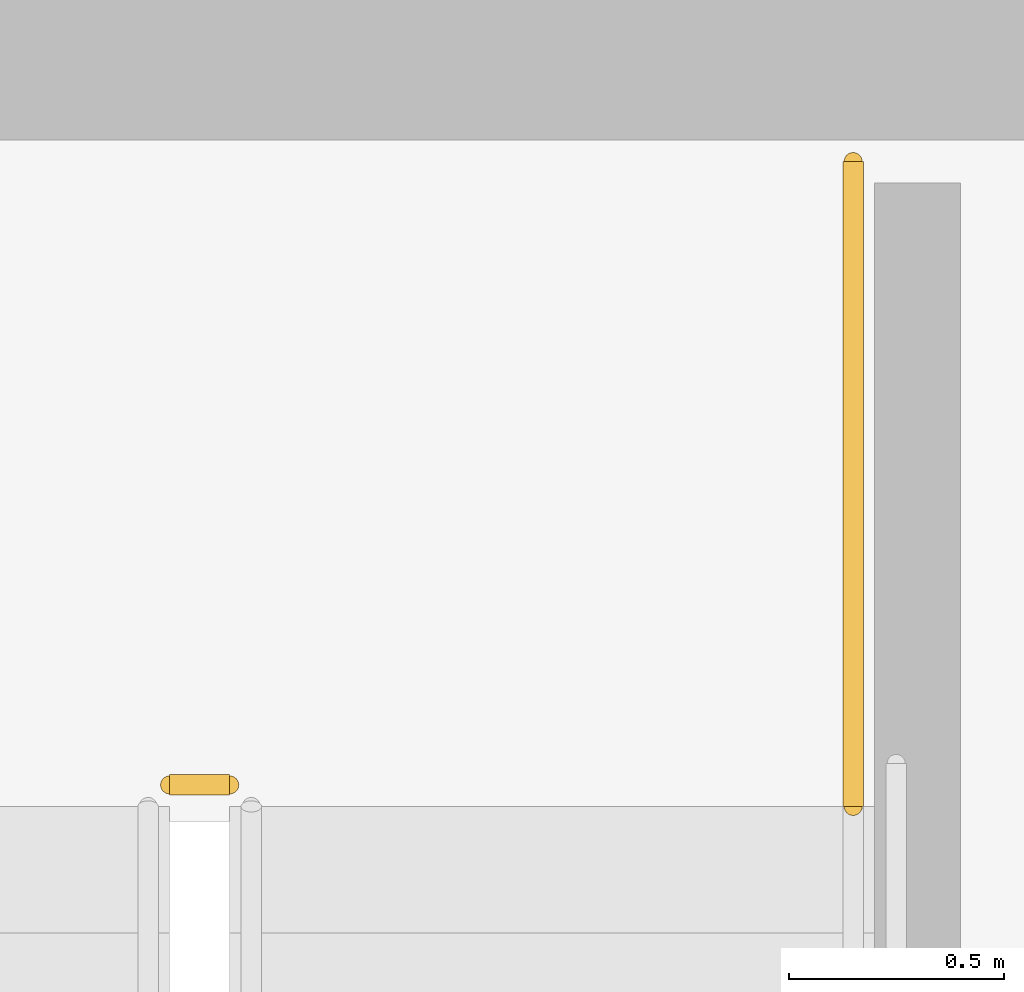
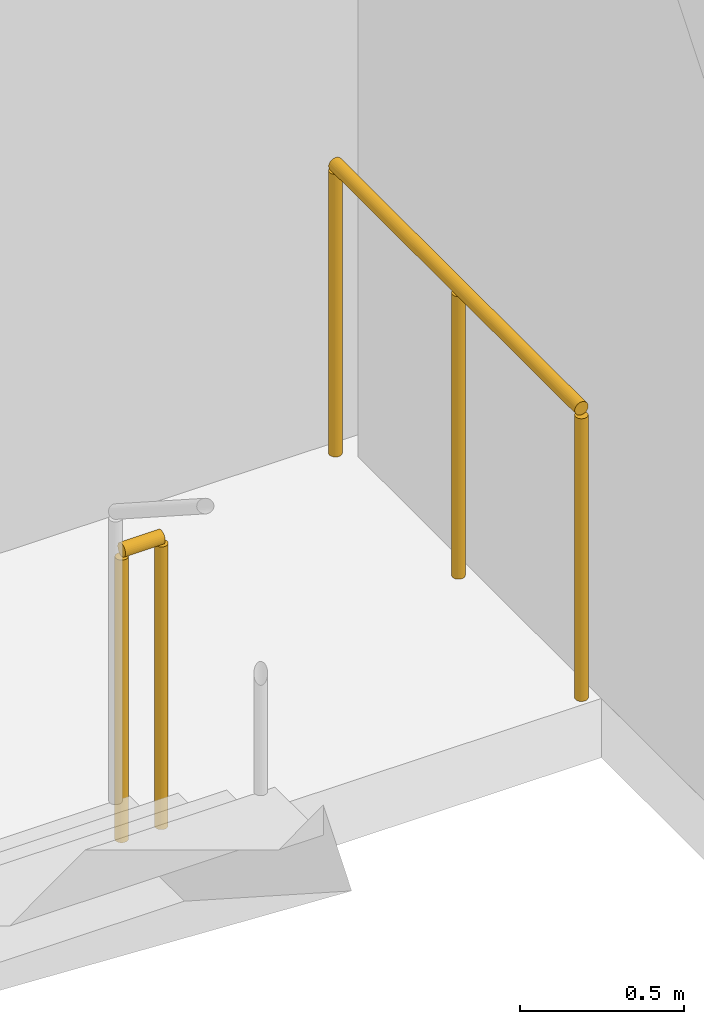
# One storey, part 29 of 30: 2 railings.
"""IFC4 building model written with IfcOpenShell, lengths in metres."""

from ifc_helpers import new_model, si_unit, direction, frame, origin, origin_2d, place, context, subcontext, project, spatial, circle, extrude, material, layer, layer_set, type_object, element, save


model = new_model("IFC4")

# Units and contexts
model_context = context("Model", 3, precision=1e-05, world=origin(), true_north=direction((0.0, 1.0)))
body_context = subcontext(model_context, "Body", "Model", "MODEL_VIEW")
ifc_project = project(units=[si_unit("LENGTHUNIT", "METRE"), si_unit("AREAUNIT", "SQUARE_METRE"), si_unit("VOLUMEUNIT", "CUBIC_METRE"), si_unit("PLANEANGLEUNIT", "RADIAN"), si_unit("MASSUNIT", "GRAM", prefix="KILO")], contexts=[model_context])

# Site, building, storey
site_placement = place(None, origin())
site = spatial("IfcSite", under=ifc_project, at=site_placement, CompositionType="ELEMENT")
building_placement = place(site_placement, origin())
building = spatial("IfcBuilding", under=site, at=building_placement, Name="Ndaravel Arena Tower", CompositionType="ELEMENT")
storey_placement = place(building_placement, frame((0.0, 0.0, 225.60009765625)))
storey = spatial("IfcBuildingStorey", under=building, at=storey_placement, Name="L54", CompositionType="ELEMENT", Elevation=225.60009765625)

# Railings
ifc_material = material(Name="Steel S355", Category="steel")
ifc_layer = layer(ifc_material, 0.06005859375)
ifc_layer_set = layer_set([ifc_layer], Name="Steel S355")
railing_type = type_object("IfcRailingType", Name="RAIL-STAIR-GD1100", PredefinedType="GUARDRAIL", material=ifc_layer_set)
railing_1_placement = place(storey_placement, frame((55.10009765625, 13.300048828125, 0.0)))
element("IfcRailing", 1, at=railing_1_placement, inside=storey, type_object=railing_type, Name="L54 ST-3 stair guard 4", PredefinedType="GUARDRAIL", context=body_context, shape_type="SweptSolid", body=[
    extrude(circle(Radius=0.02392578125, at=origin_2d()), frame((0.0, 0.0, 1.076171875), z_axis=(1.0, 0.0, 0.0), x_axis=(0.0, 1.0, 0.0)), (0.0, 0.0, 1.0), 0.139892578125),
    extrude(circle(Radius=0.02099609375, at=origin_2d()), origin(), (0.0, 0.0, 1.0), 1.052001953125),
    extrude(circle(Radius=0.02099609375, at=origin_2d()), frame((0.139892578125, 0.0, 0.0)), (0.0, 0.0, 1.0), 1.052001953125),
])
railing_2_placement = place(storey_placement, frame((56.68994140625, 14.75, 0.0)))
element("IfcRailing", 2, at=railing_2_placement, inside=storey, type_object=railing_type, Name="L54 ST-3 stair guard 5", PredefinedType="GUARDRAIL", context=body_context, shape_type="SweptSolid", body=[
    extrude(circle(Radius=0.02392578125, at=origin_2d()), frame((0.0, 0.0, 1.076171875), z_axis=(0.0, -1.0, 0.0), x_axis=(1.0, 0.0, 0.0)), (0.0, 0.0, 1.0), 1.5),
    extrude(circle(Radius=0.02099609375, at=origin_2d()), origin(), (0.0, 0.0, 1.0), 1.052001953125),
    extrude(circle(Radius=0.02099609375, at=origin_2d()), frame((0.0, -0.75, 0.0)), (0.0, 0.0, 1.0), 1.052001953125),
    extrude(circle(Radius=0.02099609375, at=origin_2d()), frame((0.0, -1.5, 0.0)), (0.0, 0.0, 1.0), 1.052001953125),
])

save(model, "model.ifc")
